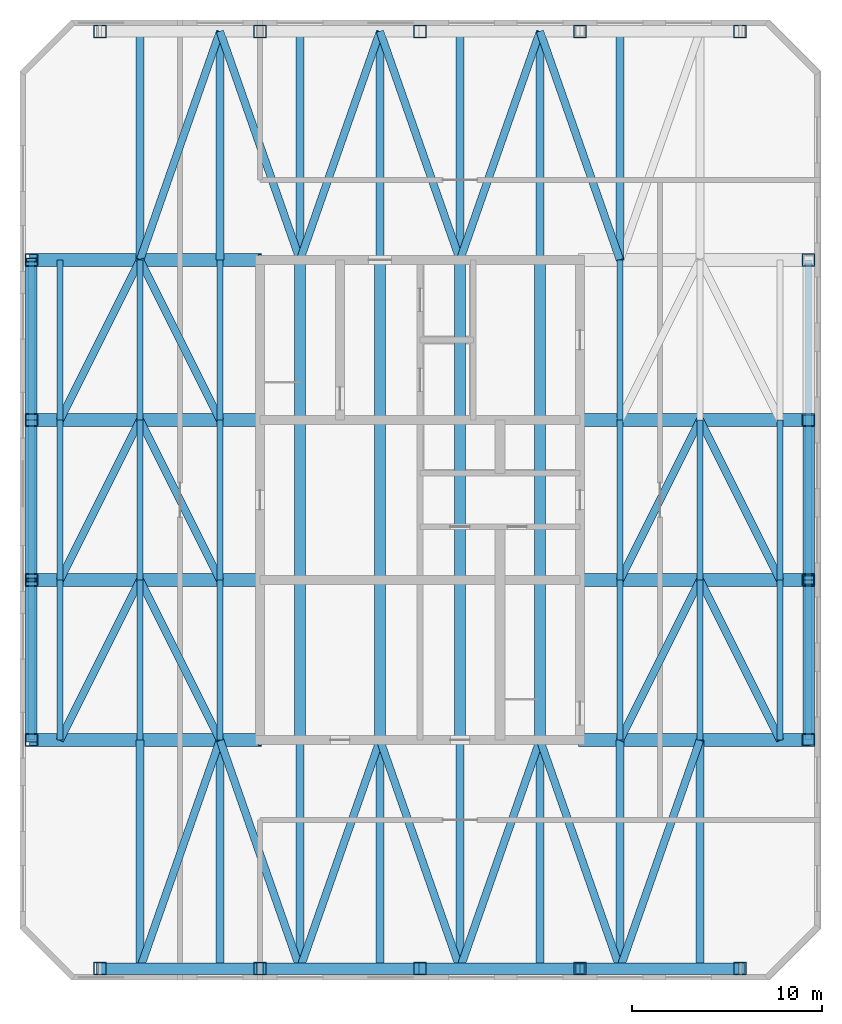
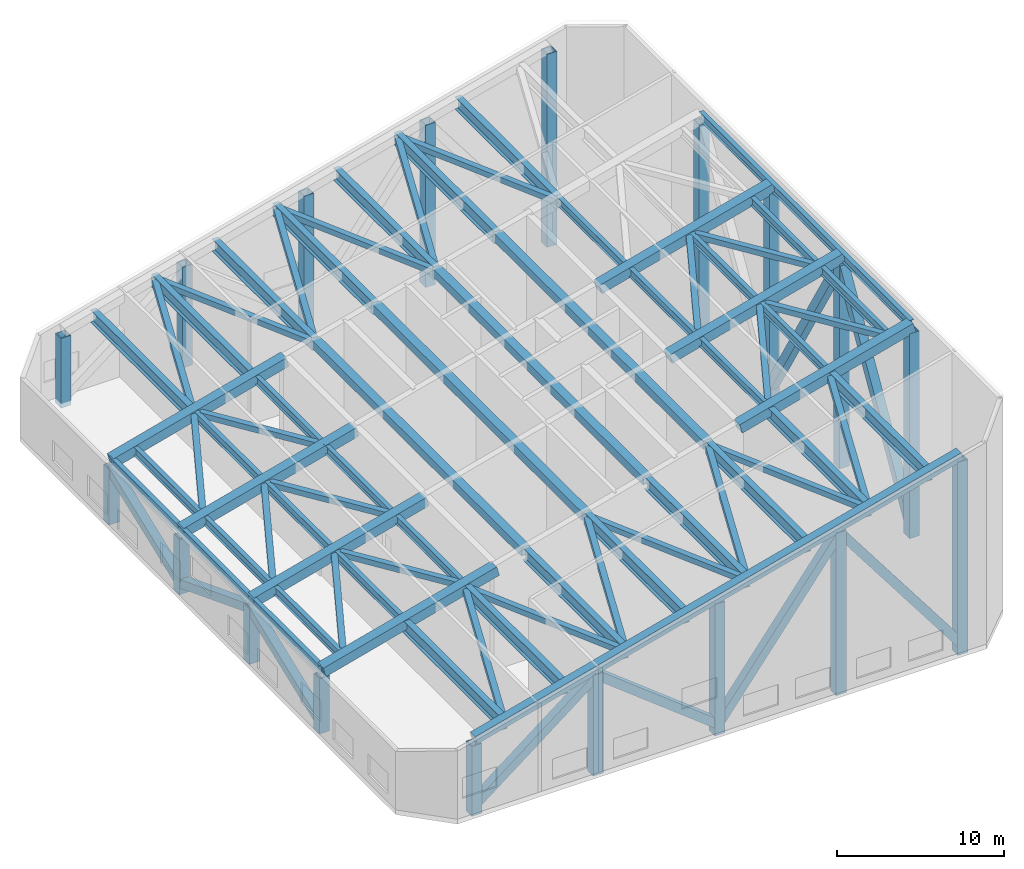
# One storey, part 1 of 5: 67 members, 18 columns, 10 beams.
"""IFC4 building model written with IfcOpenShell, lengths in metres."""

from ifc_helpers import new_model, si_unit, direction, frame, origin, origin_2d, place, context, subcontext, project, spatial, hollow_rectangle, i_section, extrude, material, material_profile, profile_set, type_object, element, save


model = new_model("IFC4")

# Units and contexts
model_context = context("Model", 3, precision=1e-05, world=origin(), true_north=direction((0.0, 1.0)))
body_context = subcontext(model_context, "Body", "Model", "MODEL_VIEW")
ifc_project = project(units=[si_unit("LENGTHUNIT", "METRE"), si_unit("AREAUNIT", "SQUARE_METRE"), si_unit("VOLUMEUNIT", "CUBIC_METRE"), si_unit("PLANEANGLEUNIT", "RADIAN"), si_unit("MASSUNIT", "GRAM", prefix="KILO")], contexts=[model_context])

# Site, building, storey
site_placement = place(None, origin())
site = spatial("IfcSite", under=ifc_project, at=site_placement, CompositionType="ELEMENT")
building_placement = place(site_placement, origin())
building = spatial("IfcBuilding", under=site, at=building_placement, Name="Dunama Terrace Hotel", CompositionType="ELEMENT")
storey_placement = place(building_placement, frame((0.0, 0.0, 293.60009765625)))
storey = spatial("IfcBuildingStorey", under=building, at=storey_placement, Name="L75", CompositionType="ELEMENT", Elevation=293.60009765625)

# Columns
ifc_material_1 = material(Name="Steel S355", Category="steel")
ifc_material_profile_1 = material_profile(ifc_material_1, hollow_rectangle(XDim=0.699951171875, YDim=0.699951171875, WallThickness=0.06005859375, at=origin_2d()), Name="BOX 700x700x60")
ifc_profile_set_1 = profile_set([ifc_material_profile_1], Name="Steel S355")
column_type = type_object("IfcColumnType", Name="Crown post BOX 700x700x60", PredefinedType="COLUMN", material=ifc_profile_set_1)
column_1_placement = place(storey_placement, frame((16.800048828125, 4.800048828125, -0.35009765625), z_axis=(0.0, 0.0, 1.0), x_axis=(1.0, 0.0, 0.0)))
element("IfcColumn", 1, at=column_1_placement, inside=storey, type_object=column_type, Name="Crown post", PredefinedType="COLUMN", context=body_context, shape_type="SweptSolid", body=[
    extrude(hollow_rectangle(XDim=0.699951171875, YDim=0.699951171875, WallThickness=0.06005859375, at=origin_2d()), origin(), (0.0, 0.0, 1.0), 5.10595703125),
])
column_2_placement = place(storey_placement, frame((25.199951171875, 4.800048828125, -0.35009765625), z_axis=(0.0, 0.0, 1.0), x_axis=(1.0, 0.0, 0.0)))
element("IfcColumn", 2, at=column_2_placement, inside=storey, type_object=column_type, Name="Crown post", PredefinedType="COLUMN", context=body_context, shape_type="SweptSolid", body=[
    extrude(hollow_rectangle(XDim=0.699951171875, YDim=0.699951171875, WallThickness=0.06005859375, at=origin_2d()), origin(), (0.0, 0.0, 1.0), 7.356689453125),
])
column_3_placement = place(storey_placement, frame((33.60009765625, 4.800048828125, -0.35009765625), z_axis=(0.0, 0.0, 1.0), x_axis=(1.0, 0.0, 0.0)))
element("IfcColumn", 3, at=column_3_placement, inside=storey, type_object=column_type, Name="Crown post", PredefinedType="COLUMN", context=body_context, shape_type="SweptSolid", body=[
    extrude(hollow_rectangle(XDim=0.699951171875, YDim=0.699951171875, WallThickness=0.06005859375, at=origin_2d()), origin(), (0.0, 0.0, 1.0), 9.607421875),
])
column_4_placement = place(storey_placement, frame((42.0, 4.800048828125, -0.35009765625), z_axis=(0.0, 0.0, 1.0), x_axis=(1.0, 0.0, 0.0)))
element("IfcColumn", 4, at=column_4_placement, inside=storey, type_object=column_type, Name="Crown post", PredefinedType="COLUMN", context=body_context, shape_type="SweptSolid", body=[
    extrude(hollow_rectangle(XDim=0.699951171875, YDim=0.699951171875, WallThickness=0.06005859375, at=origin_2d()), origin(), (0.0, 0.0, 1.0), 11.8583984375),
])
column_5_placement = place(storey_placement, frame((50.39990234375, 4.800048828125, -0.35009765625), z_axis=(0.0, 0.0, 1.0), x_axis=(1.0, 0.0, 0.0)))
element("IfcColumn", 5, at=column_5_placement, inside=storey, type_object=column_type, Name="Crown post", PredefinedType="COLUMN", context=body_context, shape_type="SweptSolid", body=[
    extrude(hollow_rectangle(XDim=0.699951171875, YDim=0.699951171875, WallThickness=0.06005859375, at=origin_2d()), origin(), (0.0, 0.0, 1.0), 14.109130859375),
])
column_6_placement = place(storey_placement, frame((13.199951171875, 16.800048828125, -0.35009765625), z_axis=(0.0, 0.0, 1.0), x_axis=(1.0, 0.0, 0.0)))
element("IfcColumn", 6, at=column_6_placement, inside=storey, type_object=column_type, Name="Crown post", PredefinedType="COLUMN", context=body_context, shape_type="SweptSolid", body=[
    extrude(hollow_rectangle(XDim=0.699951171875, YDim=0.699951171875, WallThickness=0.06005859375, at=origin_2d()), origin(), (0.0, 0.0, 1.0), 4.03955078125),
])
column_7_placement = place(storey_placement, frame((54.0, 16.800048828125, -0.35009765625), z_axis=(0.0, 0.0, 1.0), x_axis=(1.0, 0.0, 0.0)))
element("IfcColumn", 7, at=column_7_placement, inside=storey, type_object=column_type, Name="Crown post", PredefinedType="COLUMN", context=body_context, shape_type="SweptSolid", body=[
    extrude(hollow_rectangle(XDim=0.699951171875, YDim=0.699951171875, WallThickness=0.06005859375, at=origin_2d()), origin(), (0.0, 0.0, 1.0), 14.971923828125),
])
column_8_placement = place(storey_placement, frame((13.199951171875, 25.199951171875, -0.35009765625), z_axis=(0.0, 0.0, 1.0), x_axis=(1.0, 0.0, 0.0)))
element("IfcColumn", 8, at=column_8_placement, inside=storey, type_object=column_type, Name="Crown post", PredefinedType="COLUMN", context=body_context, shape_type="SweptSolid", body=[
    extrude(hollow_rectangle(XDim=0.699951171875, YDim=0.699951171875, WallThickness=0.06005859375, at=origin_2d()), origin(), (0.0, 0.0, 1.0), 4.03955078125),
])
column_9_placement = place(storey_placement, frame((54.0, 25.199951171875, -0.35009765625), z_axis=(0.0, 0.0, 1.0), x_axis=(1.0, 0.0, 0.0)))
element("IfcColumn", 9, at=column_9_placement, inside=storey, type_object=column_type, Name="Crown post", PredefinedType="COLUMN", context=body_context, shape_type="SweptSolid", body=[
    extrude(hollow_rectangle(XDim=0.699951171875, YDim=0.699951171875, WallThickness=0.06005859375, at=origin_2d()), origin(), (0.0, 0.0, 1.0), 14.971923828125),
])
column_10_placement = place(storey_placement, frame((13.199951171875, 33.60009765625, -0.35009765625), z_axis=(0.0, 0.0, 1.0), x_axis=(1.0, 0.0, 0.0)))
element("IfcColumn", 10, at=column_10_placement, inside=storey, type_object=column_type, Name="Crown post", PredefinedType="COLUMN", context=body_context, shape_type="SweptSolid", body=[
    extrude(hollow_rectangle(XDim=0.699951171875, YDim=0.699951171875, WallThickness=0.06005859375, at=origin_2d()), origin(), (0.0, 0.0, 1.0), 4.03955078125),
])
column_11_placement = place(storey_placement, frame((54.0, 33.60009765625, -0.35009765625), z_axis=(0.0, 0.0, 1.0), x_axis=(1.0, 0.0, 0.0)))
element("IfcColumn", 11, at=column_11_placement, inside=storey, type_object=column_type, Name="Crown post", PredefinedType="COLUMN", context=body_context, shape_type="SweptSolid", body=[
    extrude(hollow_rectangle(XDim=0.699951171875, YDim=0.699951171875, WallThickness=0.06005859375, at=origin_2d()), origin(), (0.0, 0.0, 1.0), 14.971923828125),
])
column_12_placement = place(storey_placement, frame((13.199951171875, 42.0, -0.35009765625), z_axis=(0.0, 0.0, 1.0), x_axis=(1.0, 0.0, 0.0)))
element("IfcColumn", 12, at=column_12_placement, inside=storey, type_object=column_type, Name="Crown post", PredefinedType="COLUMN", context=body_context, shape_type="SweptSolid", body=[
    extrude(hollow_rectangle(XDim=0.699951171875, YDim=0.699951171875, WallThickness=0.06005859375, at=origin_2d()), origin(), (0.0, 0.0, 1.0), 4.03955078125),
])
column_13_placement = place(storey_placement, frame((54.0, 42.0, -0.35009765625), z_axis=(0.0, 0.0, 1.0), x_axis=(1.0, 0.0, 0.0)))
element("IfcColumn", 13, at=column_13_placement, inside=storey, type_object=column_type, Name="Crown post", PredefinedType="COLUMN", context=body_context, shape_type="SweptSolid", body=[
    extrude(hollow_rectangle(XDim=0.699951171875, YDim=0.699951171875, WallThickness=0.06005859375, at=origin_2d()), origin(), (0.0, 0.0, 1.0), 14.971923828125),
])
column_14_placement = place(storey_placement, frame((16.800048828125, 54.0, -0.35009765625), z_axis=(0.0, 0.0, 1.0), x_axis=(1.0, 0.0, 0.0)))
element("IfcColumn", 14, at=column_14_placement, inside=storey, type_object=column_type, Name="Crown post", PredefinedType="COLUMN", context=body_context, shape_type="SweptSolid", body=[
    extrude(hollow_rectangle(XDim=0.699951171875, YDim=0.699951171875, WallThickness=0.06005859375, at=origin_2d()), origin(), (0.0, 0.0, 1.0), 5.10595703125),
])
column_15_placement = place(storey_placement, frame((25.199951171875, 54.0, -0.35009765625), z_axis=(0.0, 0.0, 1.0), x_axis=(1.0, 0.0, 0.0)))
element("IfcColumn", 15, at=column_15_placement, inside=storey, type_object=column_type, Name="Crown post", PredefinedType="COLUMN", context=body_context, shape_type="SweptSolid", body=[
    extrude(hollow_rectangle(XDim=0.699951171875, YDim=0.699951171875, WallThickness=0.06005859375, at=origin_2d()), origin(), (0.0, 0.0, 1.0), 7.356689453125),
])
column_16_placement = place(storey_placement, frame((33.60009765625, 54.0, -0.35009765625), z_axis=(0.0, 0.0, 1.0), x_axis=(1.0, 0.0, 0.0)))
element("IfcColumn", 16, at=column_16_placement, inside=storey, type_object=column_type, Name="Crown post", PredefinedType="COLUMN", context=body_context, shape_type="SweptSolid", body=[
    extrude(hollow_rectangle(XDim=0.699951171875, YDim=0.699951171875, WallThickness=0.06005859375, at=origin_2d()), origin(), (0.0, 0.0, 1.0), 9.607421875),
])
column_17_placement = place(storey_placement, frame((42.0, 54.0, -0.35009765625), z_axis=(0.0, 0.0, 1.0), x_axis=(1.0, 0.0, 0.0)))
element("IfcColumn", 17, at=column_17_placement, inside=storey, type_object=column_type, Name="Crown post", PredefinedType="COLUMN", context=body_context, shape_type="SweptSolid", body=[
    extrude(hollow_rectangle(XDim=0.699951171875, YDim=0.699951171875, WallThickness=0.06005859375, at=origin_2d()), origin(), (0.0, 0.0, 1.0), 11.8583984375),
])
column_18_placement = place(storey_placement, frame((50.39990234375, 54.0, -0.35009765625), z_axis=(0.0, 0.0, 1.0), x_axis=(1.0, 0.0, 0.0)))
element("IfcColumn", 18, at=column_18_placement, inside=storey, type_object=column_type, Name="Crown post", PredefinedType="COLUMN", context=body_context, shape_type="SweptSolid", body=[
    extrude(hollow_rectangle(XDim=0.699951171875, YDim=0.699951171875, WallThickness=0.06005859375, at=origin_2d()), origin(), (0.0, 0.0, 1.0), 14.109130859375),
])

# Members
ifc_material_2 = material(Name="Steel S355", Category="steel")
ifc_material_profile_2 = material_profile(ifc_material_2, hollow_rectangle(XDim=0.60009765625, YDim=0.60009765625, WallThickness=0.050048828125, at=origin_2d()), Name="BOX 600x600x50")
ifc_profile_set_2 = profile_set([ifc_material_profile_2], Name="Steel S355")
member_type_1 = type_object("IfcMemberType", Name="Brace BOX 600x600x50", PredefinedType="BRACE", material=ifc_profile_set_2)
member_1_placement = place(storey_placement, frame((16.800048828125, 4.800048828125, 0.2998046875), z_axis=(0.788276481647, 0.0, 0.615321207568), x_axis=(0.0, 1.0, 0.0)))
element("IfcMember", 19, at=member_1_placement, inside=storey, type_object=member_type_1, Name="Crown brace", PredefinedType="BRACE", context=body_context, shape_type="SweptSolid", body=[
    extrude(hollow_rectangle(XDim=0.60009765625, YDim=0.60009765625, WallThickness=0.050048828125, at=origin_2d()), origin(), (0.0, 0.0, 1.0), 10.656005859375),
])
member_2_placement = place(storey_placement, frame((33.60009765625, 4.800048828125, 0.2998046875), z_axis=(-0.788285155986, 0.0, 0.615310094873), x_axis=(0.0, -1.0, 0.0)))
element("IfcMember", 20, at=member_2_placement, inside=storey, type_object=member_type_1, Name="Crown brace", PredefinedType="BRACE", context=body_context, shape_type="SweptSolid", body=[
    extrude(hollow_rectangle(XDim=0.60009765625, YDim=0.60009765625, WallThickness=0.050048828125, at=origin_2d()), origin(), (0.0, 0.0, 1.0), 10.65625),
])
for number, where, z_axis, x_axis, name in (
    (21, (33.60009765625, 4.800048828125, 0.2998046875), (0.604880428339, 0.0, 0.796316311156), (0.0, 1.0, 0.0), "Crown brace"),
    (22, (50.39990234375, 4.800048828125, 0.2998046875), (-0.604880428339, 0.0, 0.796316311156), (0.0, -1.0, 0.0), "Crown brace"),
):
    element("IfcMember", number, at=place(storey_placement, frame(where, z_axis=z_axis, x_axis=x_axis)), inside=storey, type_object=member_type_1, Name=name, PredefinedType="BRACE", context=body_context, shape_type="SweptSolid", body=[
        extrude(hollow_rectangle(XDim=0.60009765625, YDim=0.60009765625, WallThickness=0.050048828125, at=origin_2d()), origin(), (0.0, 0.0, 1.0), 13.886962890625),
    ])
member_3_placement = place(storey_placement, frame((13.199951171875, 16.800048828125, 0.2998046875), z_axis=(0.0, 0.933009722607, 0.359851160233), x_axis=(-1.0, 0.0, 0.0)))
element("IfcMember", 23, at=member_3_placement, inside=storey, type_object=member_type_1, Name="Crown brace", PredefinedType="BRACE", context=body_context, shape_type="SweptSolid", body=[
    extrude(hollow_rectangle(XDim=0.60009765625, YDim=0.60009765625, WallThickness=0.050048828125, at=origin_2d()), origin(), (0.0, 0.0, 1.0), 9.0029296875),
])
member_4_placement = place(storey_placement, frame((13.199951171875, 33.60009765625, 0.2998046875), z_axis=(0.0, -0.933013234015, 0.359842055843), x_axis=(1.0, 0.0, 0.0)))
element("IfcMember", 24, at=member_4_placement, inside=storey, type_object=member_type_1, Name="Crown brace", PredefinedType="BRACE", context=body_context, shape_type="SweptSolid", body=[
    extrude(hollow_rectangle(XDim=0.60009765625, YDim=0.60009765625, WallThickness=0.050048828125, at=origin_2d()), origin(), (0.0, 0.0, 1.0), 9.003173828125),
])
member_5_placement = place(storey_placement, frame((13.199951171875, 33.60009765625, 0.2998046875), z_axis=(0.0, 0.933009722607, 0.359851160233), x_axis=(-1.0, 0.0, 0.0)))
element("IfcMember", 25, at=member_5_placement, inside=storey, type_object=member_type_1, Name="Crown brace", PredefinedType="BRACE", context=body_context, shape_type="SweptSolid", body=[
    extrude(hollow_rectangle(XDim=0.60009765625, YDim=0.60009765625, WallThickness=0.050048828125, at=origin_2d()), origin(), (0.0, 0.0, 1.0), 9.0029296875),
])
member_6_placement = place(storey_placement, frame((54.0, 16.800048828125, 0.2998046875), z_axis=(0.0, 0.509874694913, 0.860248682352), x_axis=(-1.0, 0.0, 0.0)))
element("IfcMember", 26, at=member_6_placement, inside=storey, type_object=member_type_1, Name="Crown brace", PredefinedType="BRACE", context=body_context, shape_type="SweptSolid", body=[
    extrude(hollow_rectangle(XDim=0.60009765625, YDim=0.60009765625, WallThickness=0.050048828125, at=origin_2d()), origin(), (0.0, 0.0, 1.0), 16.474365234375),
])
member_7_placement = place(storey_placement, frame((54.0, 33.60009765625, 0.2998046875), z_axis=(0.0, -0.509885661522, 0.86024218228), x_axis=(1.0, 0.0, 0.0)))
element("IfcMember", 27, at=member_7_placement, inside=storey, type_object=member_type_1, Name="Crown brace", PredefinedType="BRACE", context=body_context, shape_type="SweptSolid", body=[
    extrude(hollow_rectangle(XDim=0.60009765625, YDim=0.60009765625, WallThickness=0.050048828125, at=origin_2d()), origin(), (0.0, 0.0, 1.0), 16.474609375),
])
ifc_material_3 = material(Name="Steel S355", Category="steel")
ifc_material_profile_3 = material_profile(ifc_material_3, hollow_rectangle(XDim=0.39990234375, YDim=0.39990234375, WallThickness=0.02001953125, at=origin_2d()), Name="SHS 400x400x20")
ifc_profile_set_3 = profile_set([ifc_material_profile_3], Name="Steel S355")
member_type_2 = type_object("IfcMemberType", Name="Brace SHS 400x400x20", PredefinedType="BRACE", material=ifc_profile_set_3)
for number, where, z_axis, x_axis, name in (
    (28, (18.89990234375, 4.800048828125, 5.46875), (0.329077755487, 0.94017843744, 0.088160856489), (-0.943853566271, 0.330364110395, 0.0), "Crown roof plan brace"),
    (29, (23.10009765625, 16.800048828125, 6.593994140625), (0.329060143784, -0.940182769706, 0.088180390795), (0.943859553866, 0.330347003279, 0.0), "Crown roof plan brace"),
    (30, (27.300048828125, 4.800048828125, 7.719482421875), (0.329060698757, 0.940184355364, 0.088161411415), (-0.943859553866, 0.330347003279, 0.0), "Crown roof plan brace"),
    (31, (31.5, 16.800048828125, 8.8447265625), (0.329060143784, -0.940182769706, 0.088180390795), (0.943859553866, 0.330347003279, 0.0), "Crown roof plan brace"),
    (32, (35.699951171875, 4.800048828125, 9.97021484375), (0.329060143784, 0.940182769706, 0.088180390795), (-0.943859553866, 0.330347003279, 0.0), "Crown roof plan brace"),
    (33, (39.89990234375, 16.800048828125, 11.095703125), (0.329077755487, -0.94017843744, 0.088160856489), (0.943853566271, 0.330364110395, 0.0), "Crown roof plan brace"),
    (34, (44.10009765625, 4.800048828125, 12.220947265625), (0.329060143784, 0.940182769706, 0.088180390795), (-0.943859553866, 0.330347003279, 0.0), "Crown roof plan brace"),
):
    element("IfcMember", number, at=place(storey_placement, frame(where, z_axis=z_axis, x_axis=x_axis)), inside=storey, type_object=member_type_2, Name=name, PredefinedType="BRACE", context=body_context, shape_type="SweptSolid", body=[
        extrude(hollow_rectangle(XDim=0.39990234375, YDim=0.39990234375, WallThickness=0.02001953125, at=origin_2d()), origin(), (0.0, 0.0, 1.0), 12.763427734375),
    ])
member_8_placement = place(storey_placement, frame((14.699951171875, 16.800048828125, 4.49365234375), z_axis=(0.44403627598, 0.88807255196, 0.118991294092), x_axis=(-0.894427191, 0.4472135955, 0.0)))
element("IfcMember", 35, at=member_8_placement, inside=storey, type_object=member_type_2, Name="Crown roof plan brace", PredefinedType="BRACE", context=body_context, shape_type="SweptSolid", body=[
    extrude(hollow_rectangle(XDim=0.39990234375, YDim=0.39990234375, WallThickness=0.02001953125, at=origin_2d()), origin(), (0.0, 0.0, 1.0), 9.45849609375),
])
member_9_placement = place(storey_placement, frame((18.89990234375, 25.199951171875, 5.619140625), z_axis=(0.444058361647, -0.888065100606, 0.118964484354), x_axis=(0.894416792377, 0.447234392142, 0.0)))
element("IfcMember", 36, at=member_9_placement, inside=storey, type_object=member_type_2, Name="Crown roof plan brace", PredefinedType="BRACE", context=body_context, shape_type="SweptSolid", body=[
    extrude(hollow_rectangle(XDim=0.39990234375, YDim=0.39990234375, WallThickness=0.02001953125, at=origin_2d()), origin(), (0.0, 0.0, 1.0), 9.458740234375),
])
for number, where, z_axis, x_axis, name in (
    (37, (44.10009765625, 16.800048828125, 12.371337890625), (0.44403627598, 0.88807255196, 0.118991294092), (-0.894427191, 0.4472135955, 0.0), "Crown roof plan brace"),
    (38, (48.300048828125, 25.199951171875, 13.496826171875), (0.44403627598, -0.88807255196, 0.118991294092), (0.894427191, 0.4472135955, 0.0), "Crown roof plan brace"),
):
    element("IfcMember", number, at=place(storey_placement, frame(where, z_axis=z_axis, x_axis=x_axis)), inside=storey, type_object=member_type_2, Name=name, PredefinedType="BRACE", context=body_context, shape_type="SweptSolid", body=[
        extrude(hollow_rectangle(XDim=0.39990234375, YDim=0.39990234375, WallThickness=0.02001953125, at=origin_2d()), origin(), (0.0, 0.0, 1.0), 9.45849609375),
    ])
member_10_placement = place(storey_placement, frame((14.699951171875, 25.199951171875, 4.49365234375), z_axis=(0.444026097743, 0.888078006455, 0.118988566564), x_axis=(-0.89443239007, 0.447203197209, 0.0)))
element("IfcMember", 39, at=member_10_placement, inside=storey, type_object=member_type_2, Name="Crown roof plan brace", PredefinedType="BRACE", context=body_context, shape_type="SweptSolid", body=[
    extrude(hollow_rectangle(XDim=0.39990234375, YDim=0.39990234375, WallThickness=0.02001953125, at=origin_2d()), origin(), (0.0, 0.0, 1.0), 9.458740234375),
])
member_11_placement = place(storey_placement, frame((18.89990234375, 33.60009765625, 5.619140625), z_axis=(0.444048183075, -0.888070555397, 0.118961757486), x_axis=(0.89442199187, 0.44722399361, 0.0)))
element("IfcMember", 40, at=member_11_placement, inside=storey, type_object=member_type_2, Name="Crown roof plan brace", PredefinedType="BRACE", context=body_context, shape_type="SweptSolid", body=[
    extrude(hollow_rectangle(XDim=0.39990234375, YDim=0.39990234375, WallThickness=0.02001953125, at=origin_2d()), origin(), (0.0, 0.0, 1.0), 9.458984375),
])
for number, where, z_axis, x_axis, name in (
    (41, (44.10009765625, 25.199951171875, 12.371337890625), (0.444026097743, 0.888078006455, 0.118988566564), (-0.89443239007, 0.447203197209, 0.0), "Crown roof plan brace"),
    (42, (48.300048828125, 33.60009765625, 13.496826171875), (0.444026097743, -0.888078006455, 0.118988566564), (0.89443239007, 0.447203197209, 0.0), "Crown roof plan brace"),
):
    element("IfcMember", number, at=place(storey_placement, frame(where, z_axis=z_axis, x_axis=x_axis)), inside=storey, type_object=member_type_2, Name=name, PredefinedType="BRACE", context=body_context, shape_type="SweptSolid", body=[
        extrude(hollow_rectangle(XDim=0.39990234375, YDim=0.39990234375, WallThickness=0.02001953125, at=origin_2d()), origin(), (0.0, 0.0, 1.0), 9.458740234375),
    ])
member_12_placement = place(storey_placement, frame((14.699951171875, 33.60009765625, 4.49365234375), z_axis=(0.44403627598, 0.88807255196, 0.118991294092), x_axis=(-0.894427191, 0.4472135955, 0.0)))
element("IfcMember", 43, at=member_12_placement, inside=storey, type_object=member_type_2, Name="Crown roof plan brace", PredefinedType="BRACE", context=body_context, shape_type="SweptSolid", body=[
    extrude(hollow_rectangle(XDim=0.39990234375, YDim=0.39990234375, WallThickness=0.02001953125, at=origin_2d()), origin(), (0.0, 0.0, 1.0), 9.45849609375),
])
member_13_placement = place(storey_placement, frame((18.89990234375, 42.0, 5.619140625), z_axis=(0.444058361647, -0.888065100606, 0.118964484354), x_axis=(0.894416792377, 0.447234392142, 0.0)))
element("IfcMember", 44, at=member_13_placement, inside=storey, type_object=member_type_2, Name="Crown roof plan brace", PredefinedType="BRACE", context=body_context, shape_type="SweptSolid", body=[
    extrude(hollow_rectangle(XDim=0.39990234375, YDim=0.39990234375, WallThickness=0.02001953125, at=origin_2d()), origin(), (0.0, 0.0, 1.0), 9.458740234375),
])
for number, where, z_axis, x_axis, name in (
    (45, (18.89990234375, 42.0, 5.46875), (0.329077755487, 0.94017843744, 0.088160856489), (-0.943853566271, 0.330364110395, 0.0), "Crown roof plan brace"),
    (46, (23.10009765625, 54.0, 6.593994140625), (0.329060143784, -0.940182769706, 0.088180390795), (0.943859553866, 0.330347003279, 0.0), "Crown roof plan brace"),
    (47, (27.300048828125, 42.0, 7.719482421875), (0.329060698757, 0.940184355364, 0.088161411415), (-0.943859553866, 0.330347003279, 0.0), "Crown roof plan brace"),
    (48, (31.5, 54.0, 8.8447265625), (0.329060143784, -0.940182769706, 0.088180390795), (0.943859553866, 0.330347003279, 0.0), "Crown roof plan brace"),
    (49, (35.699951171875, 42.0, 9.97021484375), (0.329060143784, 0.940182769706, 0.088180390795), (-0.943859553866, 0.330347003279, 0.0), "Crown roof plan brace"),
    (50, (39.89990234375, 54.0, 11.095703125), (0.329077755487, -0.94017843744, 0.088160856489), (0.943853566271, 0.330364110395, 0.0), "Crown roof plan brace"),
):
    element("IfcMember", number, at=place(storey_placement, frame(where, z_axis=z_axis, x_axis=x_axis)), inside=storey, type_object=member_type_2, Name=name, PredefinedType="BRACE", context=body_context, shape_type="SweptSolid", body=[
        extrude(hollow_rectangle(XDim=0.39990234375, YDim=0.39990234375, WallThickness=0.02001953125, at=origin_2d()), origin(), (0.0, 0.0, 1.0), 12.763427734375),
    ])
ifc_material_4 = material(Name="Steel S355", Category="steel")
ifc_material_profile_4 = material_profile(ifc_material_4, hollow_rectangle(XDim=0.60009765625, YDim=0.60009765625, WallThickness=0.050048828125, at=origin_2d()), Name="BOX 600x600x50")
ifc_profile_set_4 = profile_set([ifc_material_profile_4], Name="Steel S355")
member_type_3 = type_object("IfcMemberType", Name="Purlin BOX 600x600x50", PredefinedType="PURLIN", material=ifc_profile_set_4)
for number, where, z_axis, x_axis, name in (
    (51, (27.300048828125, 16.800048828125, 7.799560546875), (0.0, 1.0, 0.0), (-1.0, 0.0, 0.0), "Crown purlin"),
    (52, (31.5, 16.800048828125, 8.9248046875), (0.0, 1.0, 0.0), (-1.0, 0.0, 0.0), "Crown purlin"),
    (53, (35.699951171875, 16.800048828125, 10.05029296875), (0.0, 1.0, 0.0), (-1.0, 0.0, 0.0), "Crown purlin"),
    (54, (39.89990234375, 16.800048828125, 11.17578125), (0.0, 1.0, 0.0), (-1.0, 0.0, 0.0), "Crown purlin"),
):
    element("IfcMember", number, at=place(storey_placement, frame(where, z_axis=z_axis, x_axis=x_axis)), inside=storey, type_object=member_type_3, Name=name, PredefinedType="PURLIN", context=body_context, shape_type="SweptSolid", body=[
        extrude(hollow_rectangle(XDim=0.60009765625, YDim=0.60009765625, WallThickness=0.050048828125, at=origin_2d()), origin(), (0.0, 0.0, 1.0), 25.199951171875),
    ])
ifc_material_5 = material(Name="Steel S355", Category="steel")
ifc_material_profile_5 = material_profile(ifc_material_5, i_section(OverallWidth=0.30712890625, OverallDepth=0.6201171875, WebThickness=0.01416015625, FlangeThickness=0.023681640625, FilletRadius=0.0166015625, at=origin_2d()), Name="UB 610x305x179")
ifc_profile_set_5 = profile_set([ifc_material_profile_5], Name="Steel S355")
member_type_4 = type_object("IfcMemberType", Name="Purlin UB 610x305x179", PredefinedType="PURLIN", material=ifc_profile_set_5)
for number, where, z_axis, x_axis, name in (
    (55, (14.699951171875, 16.800048828125, 4.452392578125), (0.0, 1.0, 0.0), (-1.0, 0.0, 0.0), "Crown purlin"),
    (56, (18.89990234375, 16.800048828125, 5.577880859375), (0.0, 1.0, 0.0), (-1.0, 0.0, 0.0), "Crown purlin"),
    (57, (23.10009765625, 16.800048828125, 6.703369140625), (0.0, 1.0, 0.0), (-1.0, 0.0, 0.0), "Crown purlin"),
    (58, (44.10009765625, 16.800048828125, 12.330322265625), (0.0, 1.0, 0.0), (-1.0, 0.0, 0.0), "Crown purlin"),
    (59, (48.300048828125, 16.800048828125, 13.45556640625), (0.0, 1.0, 0.0), (-1.0, 0.0, 0.0), "Crown purlin"),
    (60, (52.5, 16.800048828125, 14.5810546875), (0.0, 1.0, 0.0), (-1.0, 0.0, 0.0), "Crown purlin"),
):
    element("IfcMember", number, at=place(storey_placement, frame(where, z_axis=z_axis, x_axis=x_axis)), inside=storey, type_object=member_type_4, Name=name, PredefinedType="PURLIN", context=body_context, shape_type="SweptSolid", body=[
        extrude(i_section(OverallWidth=0.30712890625, OverallDepth=0.6201171875, WebThickness=0.01416015625, FlangeThickness=0.023681640625, FilletRadius=0.0166015625, at=origin_2d()), origin(), (0.0, 0.0, 1.0), 8.39990234375),
    ])
for number, where, z_axis, x_axis, name in (
    (61, (14.699951171875, 25.199951171875, 4.452392578125), (0.0, 1.0, 0.0), (-1.0, 0.0, 0.0), "Crown purlin"),
    (62, (18.89990234375, 25.199951171875, 5.577880859375), (0.0, 1.0, 0.0), (-1.0, 0.0, 0.0), "Crown purlin"),
    (63, (23.10009765625, 25.199951171875, 6.703369140625), (0.0, 1.0, 0.0), (-1.0, 0.0, 0.0), "Crown purlin"),
    (64, (44.10009765625, 25.199951171875, 12.330322265625), (0.0, 1.0, 0.0), (-1.0, 0.0, 0.0), "Crown purlin"),
    (65, (48.300048828125, 25.199951171875, 13.45556640625), (0.0, 1.0, 0.0), (-1.0, 0.0, 0.0), "Crown purlin"),
    (66, (52.5, 25.199951171875, 14.5810546875), (0.0, 1.0, 0.0), (-1.0, 0.0, 0.0), "Crown purlin"),
):
    element("IfcMember", number, at=place(storey_placement, frame(where, z_axis=z_axis, x_axis=x_axis)), inside=storey, type_object=member_type_4, Name=name, PredefinedType="PURLIN", context=body_context, shape_type="SweptSolid", body=[
        extrude(i_section(OverallWidth=0.30712890625, OverallDepth=0.6201171875, WebThickness=0.01416015625, FlangeThickness=0.023681640625, FilletRadius=0.0166015625, at=origin_2d()), origin(), (0.0, 0.0, 1.0), 8.400146484375),
    ])
for number, where, z_axis, x_axis, name in (
    (67, (14.699951171875, 33.60009765625, 4.452392578125), (0.0, 1.0, 0.0), (-1.0, 0.0, 0.0), "Crown purlin"),
    (68, (18.89990234375, 33.60009765625, 5.577880859375), (0.0, 1.0, 0.0), (-1.0, 0.0, 0.0), "Crown purlin"),
    (69, (23.10009765625, 33.60009765625, 6.703369140625), (0.0, 1.0, 0.0), (-1.0, 0.0, 0.0), "Crown purlin"),
    (70, (44.10009765625, 33.60009765625, 12.330322265625), (0.0, 1.0, 0.0), (-1.0, 0.0, 0.0), "Crown purlin"),
):
    element("IfcMember", number, at=place(storey_placement, frame(where, z_axis=z_axis, x_axis=x_axis)), inside=storey, type_object=member_type_4, Name=name, PredefinedType="PURLIN", context=body_context, shape_type="SweptSolid", body=[
        extrude(i_section(OverallWidth=0.30712890625, OverallDepth=0.6201171875, WebThickness=0.01416015625, FlangeThickness=0.023681640625, FilletRadius=0.0166015625, at=origin_2d()), origin(), (0.0, 0.0, 1.0), 8.39990234375),
    ])
ifc_material_6 = material(Name="Steel S355", Category="steel")
ifc_material_profile_6 = material_profile(ifc_material_6, i_section(OverallWidth=0.42041015625, OverallDepth=0.9208984375, WebThickness=0.021484375, FlangeThickness=0.03662109375, FilletRadius=0.024169921875, at=origin_2d()), Name="UB 914x419x388")
ifc_profile_set_6 = profile_set([ifc_material_profile_6], Name="Steel S355")
member_type_5 = type_object("IfcMemberType", Name="Purlin UB 914x419x388", PredefinedType="PURLIN", material=ifc_profile_set_6)
for number, where, z_axis, x_axis, name in (
    (71, (18.89990234375, 4.800048828125, 5.412353515625), (0.0, 1.0, 0.0), (-1.0, 0.0, 0.0), "Crown purlin"),
    (72, (23.10009765625, 4.800048828125, 6.53759765625), (0.0, 1.0, 0.0), (-1.0, 0.0, 0.0), "Crown purlin"),
    (73, (27.300048828125, 4.800048828125, 7.6630859375), (0.0, 1.0, 0.0), (-1.0, 0.0, 0.0), "Crown purlin"),
    (74, (31.5, 4.800048828125, 8.78857421875), (0.0, 1.0, 0.0), (-1.0, 0.0, 0.0), "Crown purlin"),
    (75, (35.699951171875, 4.800048828125, 9.913818359375), (0.0, 1.0, 0.0), (-1.0, 0.0, 0.0), "Crown purlin"),
    (76, (39.89990234375, 4.800048828125, 11.039306640625), (0.0, 1.0, 0.0), (-1.0, 0.0, 0.0), "Crown purlin"),
    (77, (44.10009765625, 4.800048828125, 12.16455078125), (0.0, 1.0, 0.0), (-1.0, 0.0, 0.0), "Crown purlin"),
    (78, (48.300048828125, 4.800048828125, 13.2900390625), (0.0, 1.0, 0.0), (-1.0, 0.0, 0.0), "Crown purlin"),
    (79, (18.89990234375, 42.0, 5.412353515625), (0.0, 1.0, 0.0), (-1.0, 0.0, 0.0), "Crown purlin"),
    (80, (23.10009765625, 42.0, 6.53759765625), (0.0, 1.0, 0.0), (-1.0, 0.0, 0.0), "Crown purlin"),
    (81, (27.300048828125, 42.0, 7.6630859375), (0.0, 1.0, 0.0), (-1.0, 0.0, 0.0), "Crown purlin"),
    (82, (31.5, 42.0, 8.78857421875), (0.0, 1.0, 0.0), (-1.0, 0.0, 0.0), "Crown purlin"),
    (83, (35.699951171875, 42.0, 9.913818359375), (0.0, 1.0, 0.0), (-1.0, 0.0, 0.0), "Crown purlin"),
    (84, (39.89990234375, 42.0, 11.039306640625), (0.0, 1.0, 0.0), (-1.0, 0.0, 0.0), "Crown purlin"),
    (85, (44.10009765625, 42.0, 12.16455078125), (0.0, 1.0, 0.0), (-1.0, 0.0, 0.0), "Crown purlin"),
):
    element("IfcMember", number, at=place(storey_placement, frame(where, z_axis=z_axis, x_axis=x_axis)), inside=storey, type_object=member_type_5, Name=name, PredefinedType="PURLIN", context=body_context, shape_type="SweptSolid", body=[
        extrude(i_section(OverallWidth=0.42041015625, OverallDepth=0.9208984375, WebThickness=0.021484375, FlangeThickness=0.03662109375, FilletRadius=0.024169921875, at=origin_2d()), origin(), (0.0, 0.0, 1.0), 12.0),
    ])

# Beams
ifc_material_7 = material(Name="Steel S355", Category="steel")
ifc_material_profile_7 = material_profile(ifc_material_7, hollow_rectangle(XDim=0.60009765625, YDim=0.60009765625, WallThickness=0.050048828125, at=origin_2d()), Name="BOX 600x600x50")
ifc_profile_set_7 = profile_set([ifc_material_profile_7], Name="Steel S355")
beam_type_1 = type_object("IfcBeamType", Name="Steel beam BOX 600x600x50", PredefinedType="BEAM", material=ifc_profile_set_7)
beam_placement = place(storey_placement, frame((16.800048828125, 4.800048828125, 5.055908203125), z_axis=(0.965924962317, 0.0, 0.258822269467), x_axis=(0.0, 1.0, 0.0)))
element("IfcBeam", 86, at=beam_placement, inside=storey, type_object=beam_type_1, Name="Crown rafter", PredefinedType="BEAM", context=body_context, shape_type="SweptSolid", body=[
    extrude(hollow_rectangle(XDim=0.60009765625, YDim=0.60009765625, WallThickness=0.050048828125, at=origin_2d()), origin(), (0.0, 0.0, 1.0), 34.78515625),
])
ifc_material_8 = material(Name="Steel S355", Category="steel")
ifc_material_profile_8 = material_profile(ifc_material_8, hollow_rectangle(XDim=0.699951171875, YDim=0.699951171875, WallThickness=0.06005859375, at=origin_2d()), Name="BOX 700x700x60")
ifc_profile_set_8 = profile_set([ifc_material_profile_8], Name="Steel S355")
beam_type_2 = type_object("IfcBeamType", Name="Steel beam BOX 700x700x60", PredefinedType="BEAM", material=ifc_profile_set_8)
for number, where, z_axis, x_axis, name in (
    (87, (13.199951171875, 16.800048828125, 4.03955078125), (0.965926999034, 0.0, 0.25881466832), (0.0, 1.0, 0.0), "Crown rafter"),
    (88, (42.0, 16.800048828125, 11.75634765625), (0.965922086003, 0.0, 0.258833003637), (0.0, 1.0, 0.0), "Crown rafter"),
    (89, (13.199951171875, 25.199951171875, 4.03955078125), (0.965926999034, 0.0, 0.25881466832), (0.0, 1.0, 0.0), "Crown rafter"),
    (90, (42.0, 25.199951171875, 11.75634765625), (0.965922086003, 0.0, 0.258833003637), (0.0, 1.0, 0.0), "Crown rafter"),
    (91, (13.199951171875, 33.60009765625, 4.03955078125), (0.965926999034, 0.0, 0.25881466832), (0.0, 1.0, 0.0), "Crown rafter"),
    (92, (42.0, 33.60009765625, 11.75634765625), (0.965922086003, 0.0, 0.258833003637), (0.0, 1.0, 0.0), "Crown rafter"),
    (93, (13.199951171875, 42.0, 4.03955078125), (0.965926999034, 0.0, 0.25881466832), (0.0, 1.0, 0.0), "Crown rafter"),
):
    element("IfcBeam", number, at=place(storey_placement, frame(where, z_axis=z_axis, x_axis=x_axis)), inside=storey, type_object=beam_type_2, Name=name, PredefinedType="BEAM", context=body_context, shape_type="SweptSolid", body=[
        extrude(hollow_rectangle(XDim=0.699951171875, YDim=0.699951171875, WallThickness=0.06005859375, at=origin_2d()), origin(), (0.0, 0.0, 1.0), 12.42333984375),
    ])
ifc_material_9 = material(Name="Steel S355", Category="steel")
ifc_material_profile_9 = material_profile(ifc_material_9, i_section(OverallWidth=0.30712890625, OverallDepth=0.6201171875, WebThickness=0.01416015625, FlangeThickness=0.023681640625, FilletRadius=0.0166015625, at=origin_2d()), Name="UB 610x305x179")
ifc_profile_set_9 = profile_set([ifc_material_profile_9], Name="Steel S355")
beam_type_3 = type_object("IfcBeamType", Name="Steel beam UB 610x305x179", PredefinedType="BEAM", material=ifc_profile_set_9)
for number, where, z_axis, x_axis, name in (
    (94, (13.199951171875, 16.800048828125, 4.079345703125), (0.0, 1.0, 0.0), (-1.0, 0.0, 0.0), "Crown eaves beam"),
    (95, (54.0, 16.800048828125, 15.01171875), (0.0, 1.0, 0.0), (-1.0, 0.0, 0.0), "Crown eaves beam"),
):
    element("IfcBeam", number, at=place(storey_placement, frame(where, z_axis=z_axis, x_axis=x_axis)), inside=storey, type_object=beam_type_3, Name=name, PredefinedType="BEAM", context=body_context, shape_type="SweptSolid", body=[
        extrude(i_section(OverallWidth=0.30712890625, OverallDepth=0.6201171875, WebThickness=0.01416015625, FlangeThickness=0.023681640625, FilletRadius=0.0166015625, at=origin_2d()), origin(), (0.0, 0.0, 1.0), 25.199951171875),
    ])

save(model, "model.ifc")
